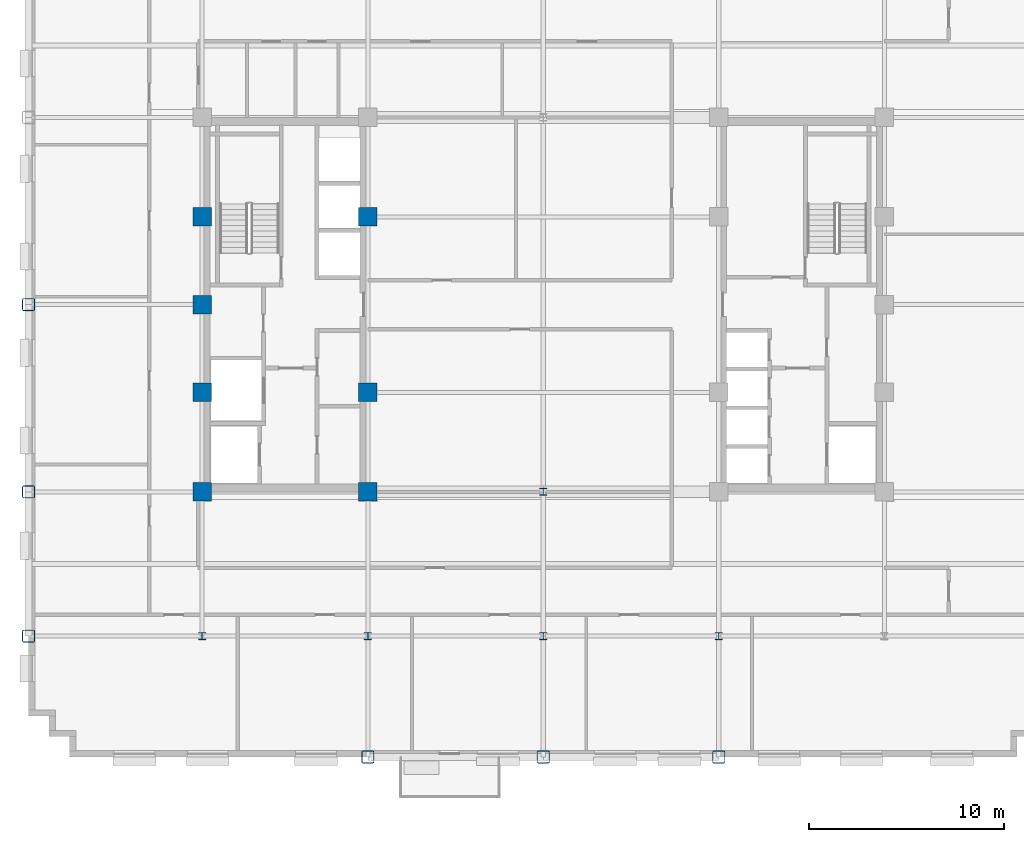
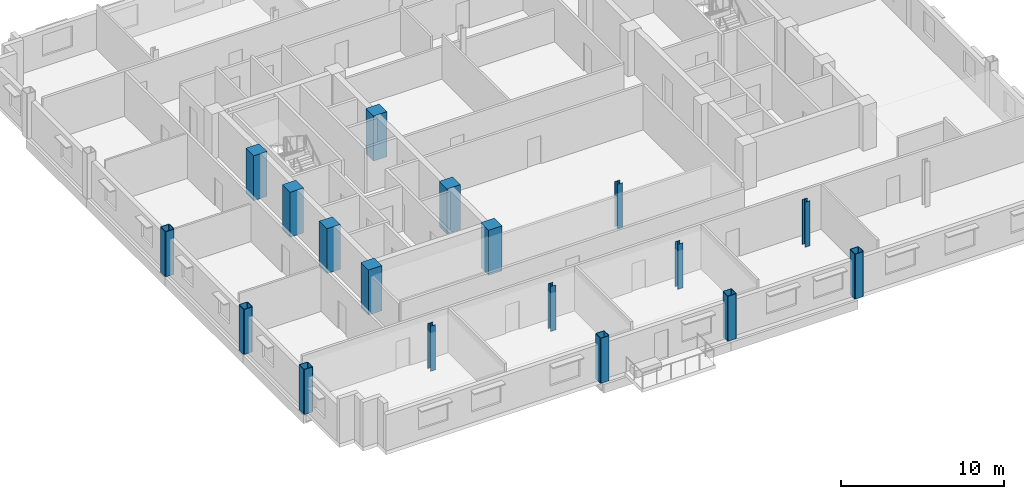
# One storey, part 1 of 14: 18 columns.
"""IFC4 building model written with IfcOpenShell, lengths in metres."""

from ifc_helpers import new_model, si_unit, direction, frame, origin, origin_2d, place, context, subcontext, project, spatial, rectangle, hollow_rectangle, i_section, extrude, material, material_profile, profile_set, type_object, element, save


model = new_model("IFC4")

# Units and contexts
model_context = context("Model", 3, precision=1e-05, world=origin(), true_north=direction((0.0, 1.0)))
body_context = subcontext(model_context, "Body", "Model", "MODEL_VIEW")
ifc_project = project(units=[si_unit("LENGTHUNIT", "METRE"), si_unit("AREAUNIT", "SQUARE_METRE"), si_unit("VOLUMEUNIT", "CUBIC_METRE"), si_unit("PLANEANGLEUNIT", "RADIAN"), si_unit("MASSUNIT", "GRAM", prefix="KILO")], contexts=[model_context])

# Site, building, storey
site_placement = place(None, origin())
site = spatial("IfcSite", under=ifc_project, at=site_placement, CompositionType="ELEMENT")
building_placement = place(site_placement, origin())
building = spatial("IfcBuilding", under=site, at=building_placement, Name="Nuvemarco Arch Tower", CompositionType="ELEMENT")
storey_placement = place(building_placement, frame((0.0, 0.0, 160.35009765625)))
storey = spatial("IfcBuildingStorey", under=building, at=storey_placement, Name="L42", CompositionType="ELEMENT", Elevation=160.35009765625)

# Columns
ifc_material_1 = material(Name="Concrete C50/60", Category="concrete")
ifc_material_profile_1 = material_profile(ifc_material_1, rectangle(XDim=0.949951171875, YDim=0.949951171875, at=origin_2d()), Name="RC-COL-950x950")
ifc_profile_set_1 = profile_set([ifc_material_profile_1], Name="Concrete C50/60")
column_type_1 = type_object("IfcColumnType", Name="COL-CORE-950", PredefinedType="COLUMN", material=ifc_profile_set_1)
for number, where, z_axis, x_axis, name in (
    (1, (-17.5, -9.60009765625, 0.0), (0.0, 0.0, 1.0), (1.0, 0.0, 0.0), "L42 column CC_-17.5_-9.6"),
    (2, (-17.5, -4.5, 0.0), (0.0, 0.0, 1.0), (1.0, 0.0, 0.0), "L42 column CC_-17.5_-4.5"),
    (3, (-17.5, 4.5, 0.0), (0.0, 0.0, 1.0), (1.0, 0.0, 0.0), "L42 column CC_-17.5_+4.5"),
    (4, (-9.0, -9.60009765625, 0.0), (0.0, 0.0, 1.0), (1.0, 0.0, 0.0), "L42 column CC_-9.0_-9.6"),
    (5, (-9.0, -4.5, 0.0), (0.0, 0.0, 1.0), (1.0, 0.0, 0.0), "L42 column CC_-9.0_-4.5"),
    (6, (-9.0, 4.5, 0.0), (0.0, 0.0, 1.0), (1.0, 0.0, 0.0), "L42 column CC_-9.0_+4.5"),
    (7, (-17.5, 0.0, 0.0), (0.0, 0.0, 1.0), (1.0, 0.0, 0.0), "L42 column CC_-17.5_+0.0"),
):
    element("IfcColumn", number, at=place(storey_placement, frame(where, z_axis=z_axis, x_axis=x_axis)), inside=storey, type_object=column_type_1, Name=name, PredefinedType="COLUMN", context=body_context, shape_type="SweptSolid", body=[
        extrude(rectangle(XDim=0.949951171875, YDim=0.949951171875, at=origin_2d()), origin(), (0.0, 0.0, 1.0), 3.369873046875),
    ])
ifc_material_2 = material(Name="Steel S355", Category="steel")
ifc_material_profile_2 = material_profile(ifc_material_2, hollow_rectangle(XDim=0.64990234375, YDim=0.64990234375, WallThickness=0.0400390625, InnerFilletRadius=0.0400390625, OuterFilletRadius=0.080078125, at=origin_2d()), Name="SHS650x650x40")
ifc_profile_set_2 = profile_set([ifc_material_profile_2], Name="Steel S355")
column_type_2 = type_object("IfcColumnType", Name="COL-EXO-650", PredefinedType="COLUMN", material=ifc_profile_set_2)
for number, where, z_axis, x_axis, name in (
    (8, (-26.39990234375, -17.0, 0.0), (0.0, 0.0, 1.0), (1.0, 0.0, 0.0), "L42 column CX_-26.4_-17.0"),
    (9, (-26.39990234375, -9.60009765625, 0.0), (0.0, 0.0, 1.0), (1.0, 0.0, 0.0), "L42 column CX_-26.4_-9.6"),
    (10, (-26.39990234375, 0.0, 0.0), (0.0, 0.0, 1.0), (1.0, 0.0, 0.0), "L42 column CX_-26.4_+0.0"),
    (11, (-9.0, -23.199951171875, 0.0), (0.0, 0.0, 1.0), (1.0, 0.0, 0.0), "L42 column CY_-9.0_-23.2"),
    (12, (0.0, -23.199951171875, 0.0), (0.0, 0.0, 1.0), (1.0, 0.0, 0.0), "L42 column CY_+0.0_-23.2"),
    (13, (9.0, -23.199951171875, 0.0), (0.0, 0.0, 1.0), (1.0, 0.0, 0.0), "L42 column CY_+9.0_-23.2"),
):
    element("IfcColumn", number, at=place(storey_placement, frame(where, z_axis=z_axis, x_axis=x_axis)), inside=storey, type_object=column_type_2, Name=name, PredefinedType="COLUMN", context=body_context, shape_type="SweptSolid", body=[
        extrude(hollow_rectangle(XDim=0.64990234375, YDim=0.64990234375, WallThickness=0.0400390625, InnerFilletRadius=0.0400390625, OuterFilletRadius=0.080078125, at=origin_2d()), origin(), (0.0, 0.0, 1.0), 3.369873046875),
    ])
ifc_material_profile_3 = material_profile(ifc_material_2, i_section(OverallWidth=0.360107421875, OverallDepth=0.360107421875, WebThickness=0.0205078125, FlangeThickness=0.0205078125, FilletRadius=0.01806640625, at=origin_2d()), Name="HP360x174")
ifc_profile_set_3 = profile_set([ifc_material_profile_3], Name="Steel S355")
column_type_3 = type_object("IfcColumnType", Name="COL-STL-HP360", PredefinedType="COLUMN", material=ifc_profile_set_3)
for number, where, z_axis, x_axis, name in (
    (14, (0.0, -17.0, 0.0), (0.0, 0.0, 1.0), (1.0, 0.0, 0.0), "L42 column CI_+0.0_-17.0"),
    (15, (0.0, -9.60009765625, 0.0), (0.0, 0.0, 1.0), (1.0, 0.0, 0.0), "L42 column CI_+0.0_-9.6"),
    (16, (-17.5, -17.0, 0.0), (0.0, 0.0, 1.0), (1.0, 0.0, 0.0), "L42 column CI_-17.5_-17.0"),
    (17, (-9.0, -17.0, 0.0), (0.0, 0.0, 1.0), (1.0, 0.0, 0.0), "L42 column CI_-9.0_-17.0"),
    (18, (9.0, -17.0, 0.0), (0.0, 0.0, 1.0), (1.0, 0.0, 0.0), "L42 column CI_+9.0_-17.0"),
):
    element("IfcColumn", number, at=place(storey_placement, frame(where, z_axis=z_axis, x_axis=x_axis)), inside=storey, type_object=column_type_3, Name=name, PredefinedType="COLUMN", context=body_context, shape_type="SweptSolid", body=[
        extrude(i_section(OverallWidth=0.360107421875, OverallDepth=0.360107421875, WebThickness=0.0205078125, FlangeThickness=0.0205078125, FilletRadius=0.01806640625, at=origin_2d()), origin(), (0.0, 0.0, 1.0), 3.369873046875),
    ])

save(model, "model.ifc")
